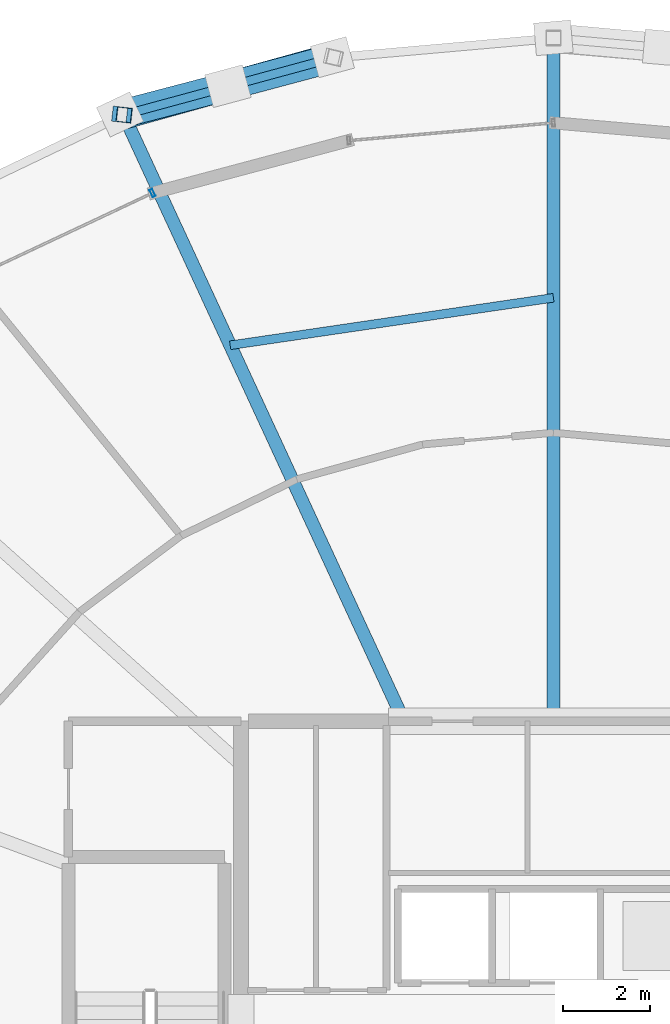
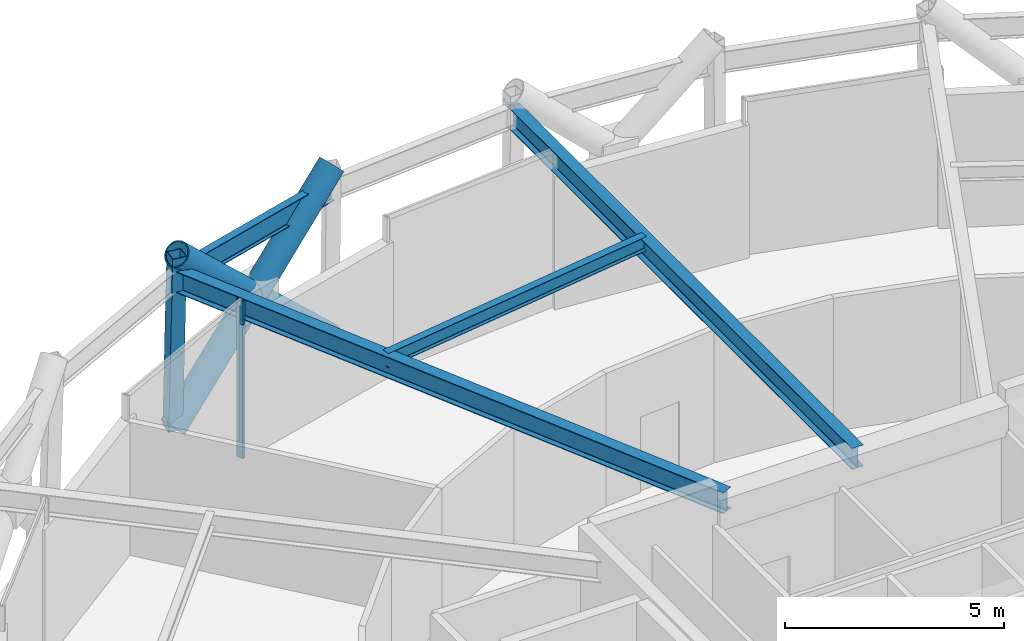
# One storey, part 18 of 29: 5 members, 4 beams, 1 element without a shape of its own.
"""IFC4 building model written with IfcOpenShell, lengths in metres."""

from ifc_helpers import new_model, si_unit, direction, frame, origin, origin_2d, place, context, subcontext, project, spatial, hollow_rectangle, hollow_circle, i_section, extrude, material, layer, layer_set, material_profile, profile_set, type_object, element, aggregate, save


model = new_model("IFC4")

# Units and contexts
model_context = context("Model", 3, precision=1e-05, world=origin(), true_north=direction((0.0, 1.0)))
body_context = subcontext(model_context, "Body", "Model", "MODEL_VIEW")
ifc_project = project(units=[si_unit("LENGTHUNIT", "METRE"), si_unit("AREAUNIT", "SQUARE_METRE"), si_unit("VOLUMEUNIT", "CUBIC_METRE"), si_unit("PLANEANGLEUNIT", "RADIAN"), si_unit("MASSUNIT", "GRAM", prefix="KILO")], contexts=[model_context])

# Site, building, storey
site_placement = place(None, origin())
site = spatial("IfcSite", under=ifc_project, at=site_placement, CompositionType="ELEMENT")
building_placement = place(site_placement, origin())
building = spatial("IfcBuilding", under=site, at=building_placement, Name="Veldorina Hangang Commons", CompositionType="ELEMENT")
storey_placement = place(building_placement, frame((0.0, 0.0, 203.60009765625)))
storey = spatial("IfcBuildingStorey", under=building, at=storey_placement, Name="L53", CompositionType="ELEMENT", Elevation=203.60009765625)

# Beams
ifc_material_1 = material(Name="Steel SM460-TMC", Category="steel")
ifc_material_profile_1 = material_profile(ifc_material_1, i_section(OverallWidth=0.300048828125, OverallDepth=0.587890625, WebThickness=0.011962890625, FlangeThickness=0.02001953125, FilletRadius=0.01806640625, at=origin_2d()), Name="H-588x300x12x20")
ifc_profile_set_1 = profile_set([ifc_material_profile_1], Name="Steel SM460-TMC")
beam_type_1 = type_object("IfcBeamType", Name="BM-FG588", PredefinedType="BEAM", material=ifc_profile_set_1)
beam_1_placement = place(storey_placement, frame((32.0, 31.449951171875, 4.14599609375), z_axis=(0.0, 1.0, 0.0), x_axis=(-1.0, 0.0, 0.0)))
element("IfcBeam", 1, at=beam_1_placement, inside=storey, type_object=beam_type_1, Name="L53 radial floor girder 05", PredefinedType="BEAM", context=body_context, shape_type="SweptSolid", body=[
    extrude(i_section(OverallWidth=0.300048828125, OverallDepth=0.587890625, WebThickness=0.011962890625, FlangeThickness=0.02001953125, FilletRadius=0.01806640625, at=origin_2d()), origin(), (0.0, 0.0, 1.0), 15.74267578125),
])
beam_2_placement = place(storey_placement, frame((28.555908203125, 31.449951171875, 4.14599609375), z_axis=(-0.419619133377, 0.907700271512, 0.0), x_axis=(-0.907700271512, -0.419619133377, 0.0)))
element("IfcBeam", 2, at=beam_2_placement, inside=storey, type_object=beam_type_1, Name="L53 radial floor girder 06", PredefinedType="BEAM", context=body_context, shape_type="SweptSolid", body=[
    extrude(i_section(OverallWidth=0.300048828125, OverallDepth=0.587890625, WebThickness=0.011962890625, FlangeThickness=0.02001953125, FilletRadius=0.01806640625, at=origin_2d()), origin(), (0.0, 0.0, 1.0), 15.398193359375),
])
ifc_material_2 = material(Name="Steel SM355-TMC", Category="steel")
ifc_material_profile_2 = material_profile(ifc_material_2, i_section(OverallWidth=0.199951171875, OverallDepth=0.39990234375, WebThickness=0.008056640625, FlangeThickness=0.012939453125, FilletRadius=0.012939453125, at=origin_2d()), Name="H-400x200x8x13")
ifc_profile_set_2 = profile_set([ifc_material_profile_2], Name="Steel SM355-TMC")
beam_type_2 = type_object("IfcBeamType", Name="BM-JST400", PredefinedType="JOIST", material=ifc_profile_set_2)
beam_3_placement = place(storey_placement, frame((32.0, 41.21044921875, 4.239990234375), z_axis=(-0.989376149225, -0.145378249218, 0.0), x_axis=(0.145378249218, -0.989376149225, 0.0)))
element("IfcBeam", 3, at=beam_3_placement, inside=storey, type_object=beam_type_2, Name="L53 secondary floor joist 05", PredefinedType="JOIST", context=body_context, shape_type="SweptSolid", body=[
    extrude(i_section(OverallWidth=0.199951171875, OverallDepth=0.39990234375, WebThickness=0.008056640625, FlangeThickness=0.012939453125, FilletRadius=0.012939453125, at=origin_2d()), origin(), (0.0, 0.0, 1.0), 7.5302734375),
])
ifc_material_3 = material(Name="Steel SM420-TMC", Category="steel")
ifc_material_profile_3 = material_profile(ifc_material_3, i_section(OverallWidth=0.199951171875, OverallDepth=0.60009765625, WebThickness=0.010986328125, FlangeThickness=0.01708984375, FilletRadius=0.01806640625, at=origin_2d()), Name="H-600x200x11x17")
ifc_profile_set_3 = profile_set([ifc_material_profile_3], Name="Steel SM420-TMC")
beam_type_3 = type_object("IfcBeamType", Name="BM-RB600", PredefinedType="BEAM", material=ifc_profile_set_3)
beam_4_placement = place(storey_placement, frame((26.9501953125, 46.746826171875, 4.139892578125), z_axis=(-0.964988520479, -0.262292118342, 0.0), x_axis=(0.262292118342, -0.964988520479, 0.0)))
element("IfcBeam", 4, at=beam_4_placement, inside=storey, type_object=beam_type_3, Name="L53 perimeter hoop ring beam 09", PredefinedType="BEAM", context=body_context, shape_type="SweptSolid", body=[
    extrude(i_section(OverallWidth=0.199951171875, OverallDepth=0.60009765625, WebThickness=0.010986328125, FlangeThickness=0.01708984375, FilletRadius=0.01806640625, at=origin_2d()), origin(), (0.0, 0.0, 1.0), 5.031982421875),
])

# Curtain wall, member
ifc_material_4 = material(Name="Glass Acoustic Laminated", Category="glass")
ifc_layer = layer(ifc_material_4, 0.179931640625)
ifc_layer_set = layer_set([ifc_layer], Name="Glass Acoustic Laminated")
curtain_wall_type = type_object("IfcCurtainWallType", Name="CW-SYS-SKY", PredefinedType="NOTDEFINED", material=ifc_layer_set)
curtain_wall_placement = place(storey_placement, origin())
curtain_wall = element("IfcCurtainWall", 5, at=curtain_wall_placement, inside=storey, type_object=curtain_wall_type, Name="L53 unitised curtain wall CW-L53-R4", PredefinedType="NOTDEFINED")
ifc_material_5 = material(Name="Aluminium Anodized AA6063-T6", Category="aluminium")
ifc_material_profile_4 = material_profile(ifc_material_5, hollow_rectangle(XDim=0.070068359375, YDim=0.179931640625, WallThickness=0.00390625, at=origin_2d()), Name="ALU-RHS-180x70x4")
ifc_profile_set_4 = profile_set([ifc_material_profile_4], Name="Aluminium Anodized AA6063-T6")
member_type_1 = type_object("IfcMemberType", Name="CW-MUL-180", PredefinedType="MULLION", material=ifc_profile_set_4)
member_1_placement = place(storey_placement, frame((22.759765625, 43.6259765625, 0.0), z_axis=(0.0, 0.0, 1.0), x_axis=(-0.904938490215, -0.425542393808, 0.0)))
member_1 = element("IfcMember", 6, at=member_1_placement, type_object=member_type_1, Name="CW-L53-R4 vertical mullion 1", PredefinedType="MULLION", context=body_context, shape_type="SweptSolid", body=[
    extrude(hollow_rectangle(XDim=0.070068359375, YDim=0.179931640625, WallThickness=0.00390625, at=origin_2d()), origin(), (0.0, 0.0, 1.0), 4.39990234375),
])
aggregate(curtain_wall, [member_1])

# Members
ifc_material_profile_5 = material_profile(ifc_material_1, hollow_circle(Radius=0.324951171875, WallThickness=0.031982421875, at=origin_2d()), Name="CHS-650x32")
ifc_profile_set_5 = profile_set([ifc_material_profile_5], Name="Steel SM460-TMC")
member_type_2 = type_object("IfcMemberType", Name="DG-CHS650", PredefinedType="BRACE", material=ifc_profile_set_5)
member_2_placement = place(storey_placement, frame((26.906982421875, 46.757080078125, 0.0), z_axis=(-0.693827643585, -0.192508316025, 0.693933533747), x_axis=(0.26735815624, -0.963597227213, 0.0)))
element("IfcMember", 7, at=member_2_placement, inside=storey, type_object=member_type_2, Name="L53 continuous perimeter diagrid brace 09", PredefinedType="BRACE", context=body_context, shape_type="SweptSolid", body=[
    extrude(hollow_circle(Radius=0.324951171875, WallThickness=0.031982421875, at=origin_2d()), origin(), (0.0, 0.0, 1.0), 6.916748046875),
])
member_3_placement = place(storey_placement, frame((22.009521484375, 45.436767578125, 0.0), z_axis=(0.705604421629, 0.184886923358, 0.684060834831), x_axis=(-0.253469422015, 0.967343399266, 0.0)))
element("IfcMember", 8, at=member_3_placement, inside=storey, type_object=member_type_2, Name="L53 split perimeter diagrid lower brace 10", PredefinedType="BRACE", context=body_context, shape_type="SweptSolid", body=[
    extrude(hollow_circle(Radius=0.324951171875, WallThickness=0.031982421875, at=origin_2d()), origin(), (0.0, 0.0, 1.0), 3.5244140625),
])
member_4_placement = place(storey_placement, frame((24.496337890625, 46.08837890625, 2.410888671875), z_axis=(0.704680547342, 0.188143203978, 0.684125325503), x_axis=(-0.257954987036, 0.966156935836, 0.0)))
element("IfcMember", 9, at=member_4_placement, inside=storey, type_object=member_type_2, Name="L53 split perimeter diagrid upper brace 10", PredefinedType="BRACE", context=body_context, shape_type="SweptSolid", body=[
    extrude(hollow_circle(Radius=0.324951171875, WallThickness=0.031982421875, at=origin_2d()), origin(), (0.0, 0.0, 1.0), 3.491943359375),
])
ifc_material_profile_6 = material_profile(ifc_material_2, hollow_rectangle(XDim=0.35009765625, YDim=0.35009765625, WallThickness=0.01611328125, at=origin_2d()), Name="SHS-350x350x16")
ifc_profile_set_6 = profile_set([ifc_material_profile_6], Name="Steel SM355-TMC")
member_type_3 = type_object("IfcMemberType", Name="STR-SHS350", PredefinedType="STRUT", material=ifc_profile_set_6)
member_5_placement = place(storey_placement, frame((22.009521484375, 45.436767578125, 0.0), z_axis=(0.020494112741, -0.002339278377, 0.999787236926), x_axis=(0.11340752746, 0.993548555792, 0.0)))
element("IfcMember", 10, at=member_5_placement, inside=storey, type_object=member_type_3, Name="L53 perimeter ring node post 10", PredefinedType="STRUT", context=body_context, shape_type="SweptSolid", body=[
    extrude(hollow_rectangle(XDim=0.35009765625, YDim=0.35009765625, WallThickness=0.01611328125, at=origin_2d()), origin(), (0.0, 0.0, 1.0), 4.80078125),
])

save(model, "model.ifc")
